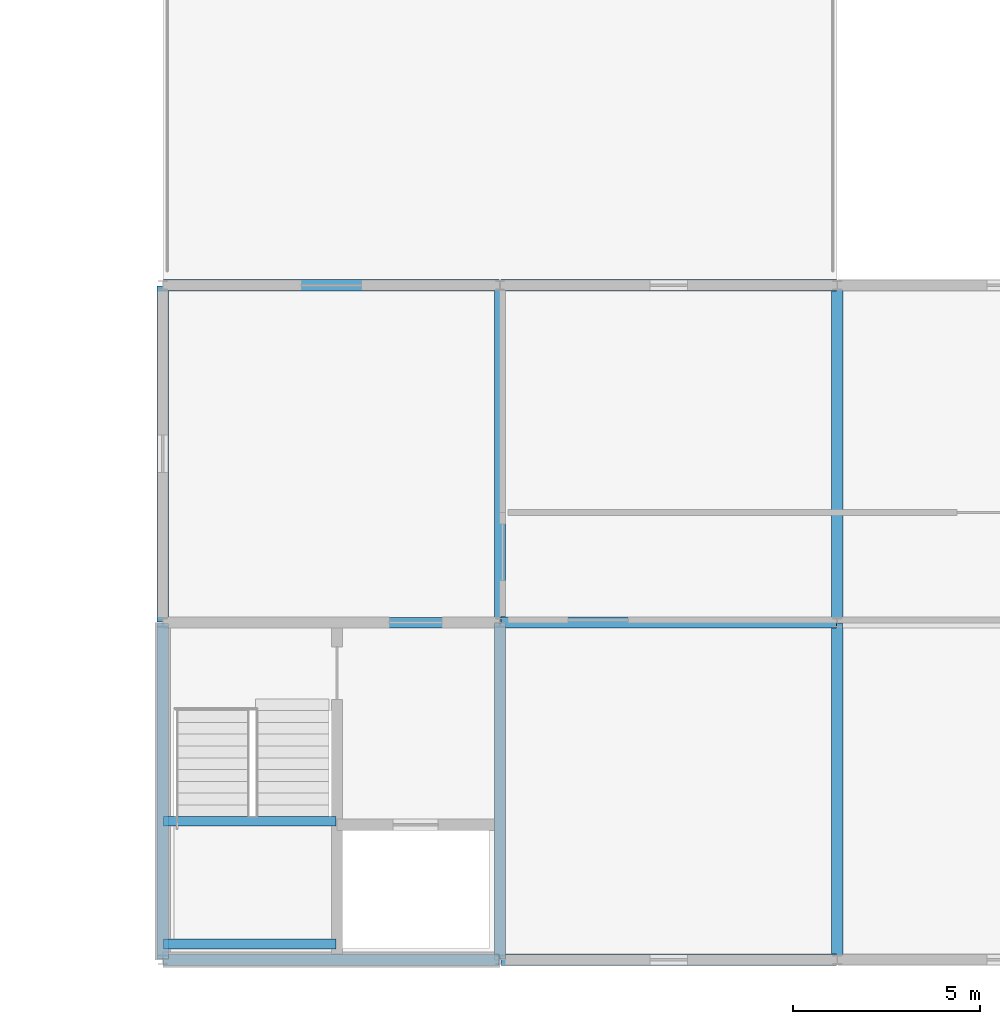
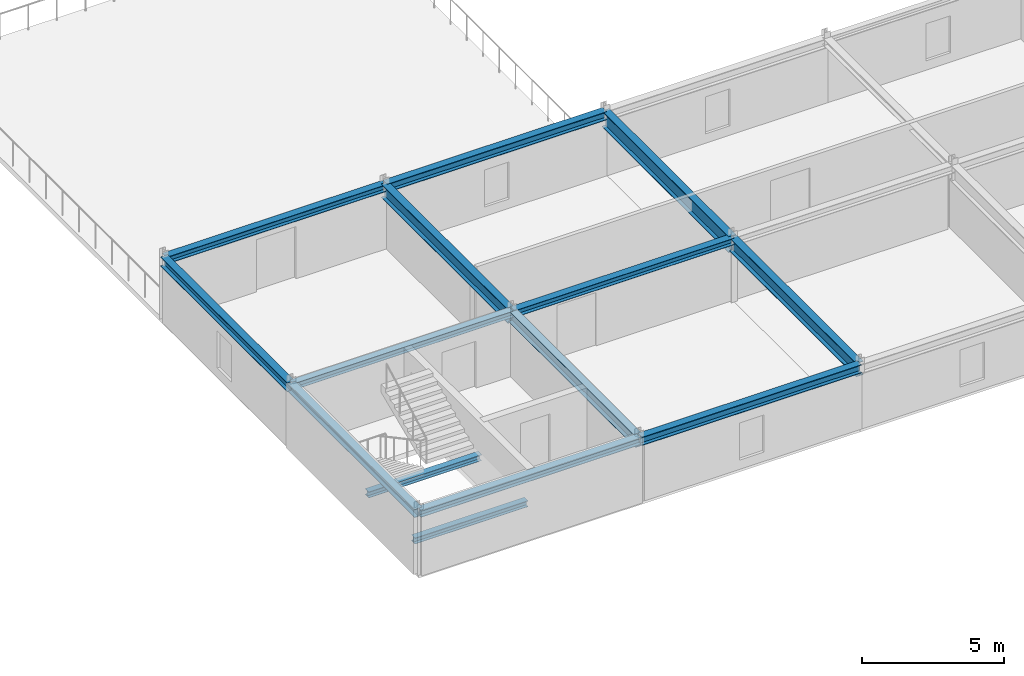
# One storey, part 12 of 37: 14 beams.
"""IFC4 building model written with IfcOpenShell, lengths in metres."""

from ifc_helpers import new_model, si_unit, direction, frame, origin, origin_2d, place, context, subcontext, project, spatial, i_section, extrude, material, material_profile, profile_set, type_object, element, save


model = new_model("IFC4")

# Units and contexts
model_context = context("Model", 3, precision=1e-05, world=origin(), true_north=direction((0.0, 1.0)))
body_context = subcontext(model_context, "Body", "Model", "MODEL_VIEW")
ifc_project = project(units=[si_unit("LENGTHUNIT", "METRE"), si_unit("AREAUNIT", "SQUARE_METRE"), si_unit("VOLUMEUNIT", "CUBIC_METRE"), si_unit("PLANEANGLEUNIT", "RADIAN"), si_unit("MASSUNIT", "GRAM", prefix="KILO")], contexts=[model_context])

# Site, building, storey
site_placement = place(None, origin())
site = spatial("IfcSite", under=ifc_project, at=site_placement, CompositionType="ELEMENT")
building_placement = place(site_placement, origin())
building = spatial("IfcBuilding", under=site, at=building_placement, Name="Palais des Congres Ocreval", CompositionType="ELEMENT")
storey_placement = place(building_placement, frame((0.0, 0.0, 11.52001953125)))
storey = spatial("IfcBuildingStorey", under=building, at=storey_placement, Name="L03", CompositionType="ELEMENT", Elevation=11.52001953125)

# Beams
ifc_material = material(Name="Steel S355", Category="steel")
ifc_material_profile_1 = material_profile(ifc_material, i_section(OverallWidth=0.260009765625, OverallDepth=0.260009765625, WebThickness=0.010009765625, FlangeThickness=0.017578125, at=origin_2d()), Name="HEB 260")
ifc_profile_set_1 = profile_set([ifc_material_profile_1], Name="Steel S355")
beam_type_1 = type_object("IfcBeamType", Name="Opening Lintel HEB 260 Steel S355", PredefinedType="LINTEL", material=ifc_profile_set_1)
for number, where, z_axis, x_axis, name in (
    (1, (108.02001953125, 0.419921875, 1.18994140625), (1.0, 0.0, 0.0), (0.0, 1.0, 0.0), "Stair Landing Support Beam ST09 L03-1"),
    (2, (108.02001953125, 3.695068359375, 1.18994140625), (1.0, 0.0, 0.0), (0.0, 1.0, 0.0), "Stair Landing Support Beam ST09 L03-2"),
):
    element("IfcBeam", number, at=place(storey_placement, frame(where, z_axis=z_axis, x_axis=x_axis)), inside=storey, type_object=beam_type_1, Name=name, PredefinedType="LINTEL", context=body_context, shape_type="SweptSolid", body=[
        extrude(i_section(OverallWidth=0.260009765625, OverallDepth=0.260009765625, WebThickness=0.010009765625, FlangeThickness=0.017578125, at=origin_2d()), origin(), (0.0, 0.0, 1.0), 4.60986328125),
    ])
ifc_material_profile_2 = material_profile(ifc_material, i_section(OverallWidth=0.300048828125, OverallDepth=0.300048828125, WebThickness=0.010986328125, FlangeThickness=0.01904296875, at=origin_2d()), Name="HEB 300")
ifc_profile_set_2 = profile_set([ifc_material_profile_2], Name="Steel S355")
beam_type_2 = type_object("IfcBeamType", Name="Perimeter Spandrel HEB 300 Steel S355", PredefinedType="SPANDREL", material=ifc_profile_set_2)
for number, where, z_axis, x_axis, name in (
    (3, (108.02001953125, 0.0, 2.6298828125), (1.0, 0.0, 0.0), (0.0, 1.0, 0.0), "Beam SP02 L03"),
    (4, (108.02001953125, 18.0, 2.6298828125), (1.0, 0.0, 0.0), (0.0, 1.0, 0.0), "Beam SP02 L03"),
):
    element("IfcBeam", number, at=place(storey_placement, frame(where, z_axis=z_axis, x_axis=x_axis)), inside=storey, type_object=beam_type_2, Name=name, PredefinedType="SPANDREL", context=body_context, shape_type="SweptSolid", body=[
        extrude(i_section(OverallWidth=0.300048828125, OverallDepth=0.300048828125, WebThickness=0.010986328125, FlangeThickness=0.01904296875, at=origin_2d()), origin(), (0.0, 0.0, 1.0), 8.9599609375),
    ])
ifc_material_profile_3 = material_profile(ifc_material, i_section(OverallWidth=0.300048828125, OverallDepth=0.360107421875, WebThickness=0.012451171875, FlangeThickness=0.0224609375, at=origin_2d()), Name="HEB 360")
ifc_profile_set_3 = profile_set([ifc_material_profile_3], Name="Steel S355")
beam_type_3 = type_object("IfcBeamType", Name="Perimeter Spandrel HEB 360 Steel S355", PredefinedType="SPANDREL", material=ifc_profile_set_3)
for number, where, z_axis, x_axis, name in (
    (5, (108.0, 0.02001953125, 2.60009765625), (0.0, 1.0, 0.0), (-1.0, 0.0, 0.0), "Girder SP03 L03"),
    (6, (117.02001953125, 0.0, 2.60009765625), (1.0, 0.0, 0.0), (0.0, 1.0, 0.0), "Beam SP03 L03"),
    (7, (117.02001953125, 18.0, 2.60009765625), (1.0, 0.0, 0.0), (0.0, 1.0, 0.0), "Beam SP03 L03"),
):
    element("IfcBeam", number, at=place(storey_placement, frame(where, z_axis=z_axis, x_axis=x_axis)), inside=storey, type_object=beam_type_3, Name=name, PredefinedType="SPANDREL", context=body_context, shape_type="SweptSolid", body=[
        extrude(i_section(OverallWidth=0.300048828125, OverallDepth=0.360107421875, WebThickness=0.012451171875, FlangeThickness=0.0224609375, at=origin_2d()), origin(), (0.0, 0.0, 1.0), 8.9599609375),
    ])
ifc_material_profile_4 = material_profile(ifc_material, i_section(OverallWidth=0.300048828125, OverallDepth=0.39990234375, WebThickness=0.013427734375, FlangeThickness=0.02392578125, at=origin_2d()), Name="HEB 400")
ifc_profile_set_4 = profile_set([ifc_material_profile_4], Name="Steel S355")
beam_type_4 = type_object("IfcBeamType", Name="Perimeter Spandrel HEB 400 Steel S355", PredefinedType="SPANDREL", material=ifc_profile_set_4)
beam_1_placement = place(storey_placement, frame((108.0, 9.02001953125, 2.580078125), z_axis=(0.0, 1.0, 0.0), x_axis=(-1.0, 0.0, 0.0)))
element("IfcBeam", 8, at=beam_1_placement, inside=storey, type_object=beam_type_4, Name="Girder SP04 L03", PredefinedType="SPANDREL", context=body_context, shape_type="SweptSolid", body=[
    extrude(i_section(OverallWidth=0.300048828125, OverallDepth=0.39990234375, WebThickness=0.013427734375, FlangeThickness=0.02392578125, at=origin_2d()), origin(), (0.0, 0.0, 1.0), 8.9599609375),
])
ifc_material_profile_5 = material_profile(ifc_material, i_section(OverallWidth=0.280029296875, OverallDepth=0.27001953125, WebThickness=0.008056640625, FlangeThickness=0.012939453125, at=origin_2d()), Name="HEA 280")
ifc_profile_set_5 = profile_set([ifc_material_profile_5], Name="Steel S355")
beam_type_5 = type_object("IfcBeamType", Name="Primary Beam HEA 280 Steel S355", PredefinedType="BEAM", material=ifc_profile_set_5)
beam_2_placement = place(storey_placement, frame((108.02001953125, 9.0, 2.64501953125), z_axis=(1.0, 0.0, 0.0), x_axis=(0.0, 1.0, 0.0)))
element("IfcBeam", 9, at=beam_2_placement, inside=storey, type_object=beam_type_5, Name="Beam B07 L03", PredefinedType="BEAM", context=body_context, shape_type="SweptSolid", body=[
    extrude(i_section(OverallWidth=0.280029296875, OverallDepth=0.27001953125, WebThickness=0.008056640625, FlangeThickness=0.012939453125, at=origin_2d()), origin(), (0.0, 0.0, 1.0), 8.9599609375),
])
ifc_material_profile_6 = material_profile(ifc_material, i_section(OverallWidth=0.300048828125, OverallDepth=0.2900390625, WebThickness=0.008544921875, FlangeThickness=0.013916015625, at=origin_2d()), Name="HEA 300")
ifc_profile_set_6 = profile_set([ifc_material_profile_6], Name="Steel S355")
beam_type_6 = type_object("IfcBeamType", Name="Primary Beam HEA 300 Steel S355", PredefinedType="BEAM", material=ifc_profile_set_6)
beam_3_placement = place(storey_placement, frame((117.02001953125, 9.0, 2.635009765625), z_axis=(1.0, 0.0, 0.0), x_axis=(0.0, 1.0, 0.0)))
element("IfcBeam", 10, at=beam_3_placement, inside=storey, type_object=beam_type_6, Name="Beam B08 L03", PredefinedType="BEAM", context=body_context, shape_type="SweptSolid", body=[
    extrude(i_section(OverallWidth=0.300048828125, OverallDepth=0.2900390625, WebThickness=0.008544921875, FlangeThickness=0.013916015625, at=origin_2d()), origin(), (0.0, 0.0, 1.0), 8.9599609375),
])
ifc_material_profile_7 = material_profile(ifc_material, i_section(OverallWidth=0.300048828125, OverallDepth=0.489990234375, WebThickness=0.011962890625, FlangeThickness=0.02294921875, at=origin_2d()), Name="HEA 500")
ifc_profile_set_7 = profile_set([ifc_material_profile_7], Name="Steel S355")
beam_type_7 = type_object("IfcBeamType", Name="Primary Beam HEA 500 Steel S355", PredefinedType="BEAM", material=ifc_profile_set_7)
beam_4_placement = place(storey_placement, frame((117.0, 0.02001953125, 2.534912109375), z_axis=(0.0, 1.0, 0.0), x_axis=(-1.0, 0.0, 0.0)))
element("IfcBeam", 11, at=beam_4_placement, inside=storey, type_object=beam_type_7, Name="Girder B12 L03", PredefinedType="BEAM", context=body_context, shape_type="SweptSolid", body=[
    extrude(i_section(OverallWidth=0.300048828125, OverallDepth=0.489990234375, WebThickness=0.011962890625, FlangeThickness=0.02294921875, at=origin_2d()), origin(), (0.0, 0.0, 1.0), 8.9599609375),
])
ifc_material_profile_8 = material_profile(ifc_material, i_section(OverallWidth=0.300048828125, OverallDepth=0.590087890625, WebThickness=0.012939453125, FlangeThickness=0.02490234375, at=origin_2d()), Name="HEA 600")
ifc_profile_set_8 = profile_set([ifc_material_profile_8], Name="Steel S355")
beam_type_8 = type_object("IfcBeamType", Name="Primary Girder HEA 600 Steel S355", PredefinedType="BEAM", material=ifc_profile_set_8)
for number, where, z_axis, x_axis, name in (
    (12, (117.0, 9.02001953125, 2.48486328125), (0.0, 1.0, 0.0), (-1.0, 0.0, 0.0), "Girder B13 L03"),
    (13, (126.0, 0.02001953125, 2.48486328125), (0.0, 1.0, 0.0), (-1.0, 0.0, 0.0), "Girder B13 L03"),
):
    element("IfcBeam", number, at=place(storey_placement, frame(where, z_axis=z_axis, x_axis=x_axis)), inside=storey, type_object=beam_type_8, Name=name, PredefinedType="BEAM", context=body_context, shape_type="SweptSolid", body=[
        extrude(i_section(OverallWidth=0.300048828125, OverallDepth=0.590087890625, WebThickness=0.012939453125, FlangeThickness=0.02490234375, at=origin_2d()), origin(), (0.0, 0.0, 1.0), 8.9599609375),
    ])
ifc_material_profile_9 = material_profile(ifc_material, i_section(OverallWidth=0.300048828125, OverallDepth=0.68994140625, WebThickness=0.014404296875, FlangeThickness=0.027099609375, at=origin_2d()), Name="HEA 700")
ifc_profile_set_9 = profile_set([ifc_material_profile_9], Name="Steel S355")
beam_type_9 = type_object("IfcBeamType", Name="Primary Girder HEA 700 Steel S355", PredefinedType="BEAM", material=ifc_profile_set_9)
beam_5_placement = place(storey_placement, frame((126.0, 9.02001953125, 2.43505859375), z_axis=(0.0, 1.0, 0.0), x_axis=(-1.0, 0.0, 0.0)))
element("IfcBeam", 14, at=beam_5_placement, inside=storey, type_object=beam_type_9, Name="Girder B14 L03", PredefinedType="BEAM", context=body_context, shape_type="SweptSolid", body=[
    extrude(i_section(OverallWidth=0.300048828125, OverallDepth=0.68994140625, WebThickness=0.014404296875, FlangeThickness=0.027099609375, at=origin_2d()), origin(), (0.0, 0.0, 1.0), 8.9599609375),
])

save(model, "model.ifc")
